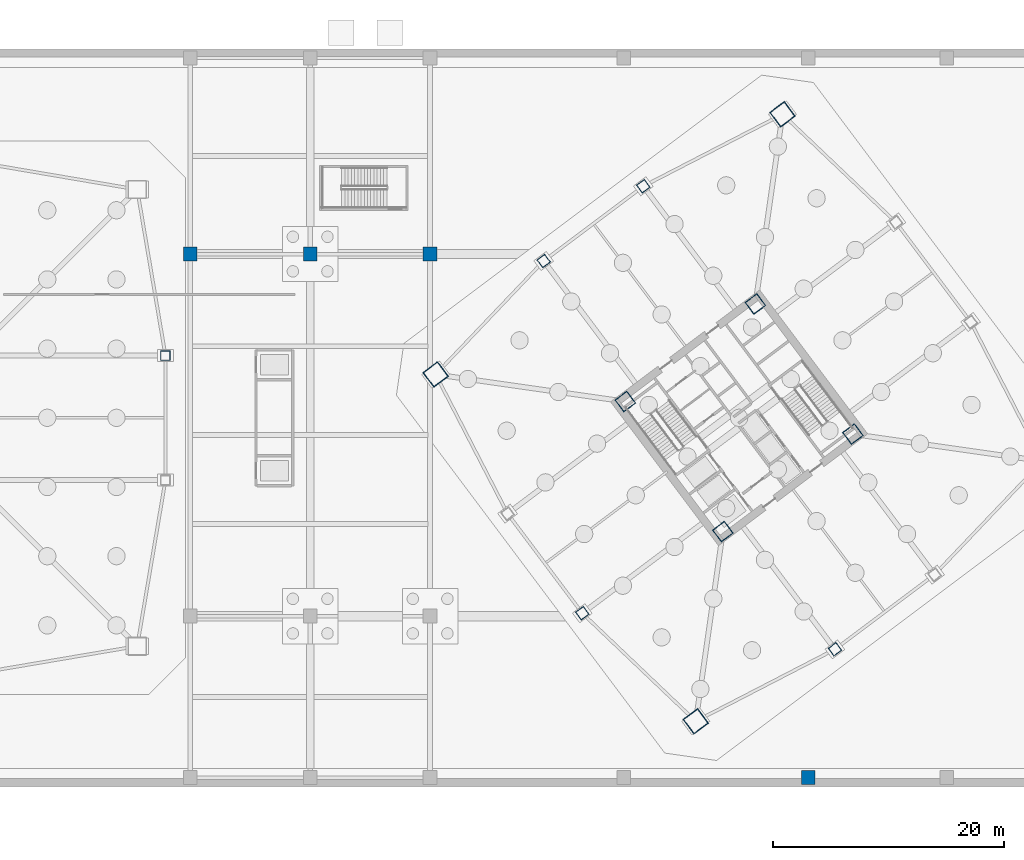
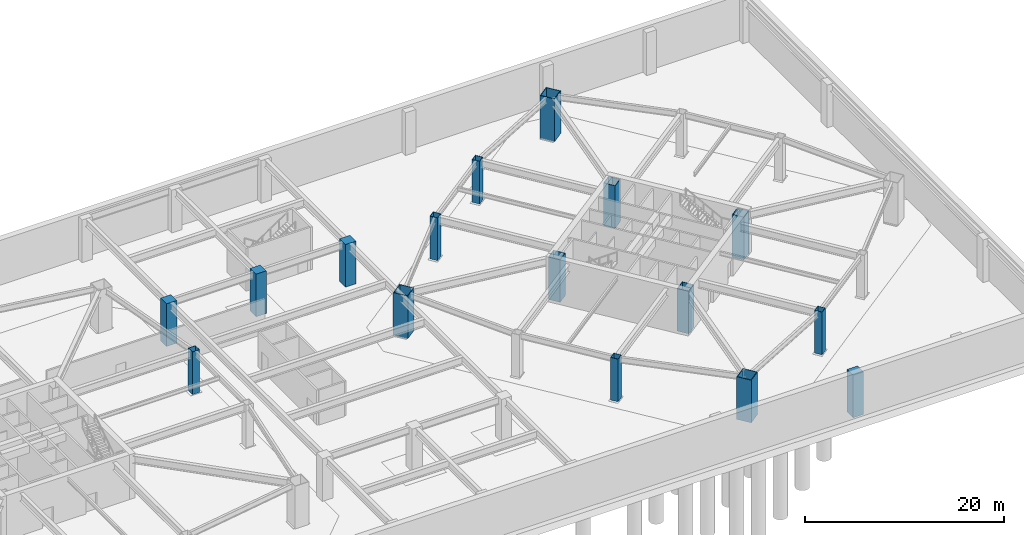
# One storey, part 3 of 19: 16 columns.
"""IFC4 building model written with IfcOpenShell, lengths in metres."""

from ifc_helpers import new_model, si_unit, direction, frame, origin, origin_2d, place, context, subcontext, project, spatial, rectangle, hollow_rectangle, extrude, material, material_profile, profile_set, type_object, element, save


model = new_model("IFC4")

# Units and contexts
model_context = context("Model", 3, precision=1e-05, world=origin(), true_north=direction((0.0, 1.0)))
body_context = subcontext(model_context, "Body", "Model", "MODEL_VIEW")
ifc_project = project(units=[si_unit("LENGTHUNIT", "METRE"), si_unit("AREAUNIT", "SQUARE_METRE"), si_unit("VOLUMEUNIT", "CUBIC_METRE"), si_unit("PLANEANGLEUNIT", "RADIAN"), si_unit("MASSUNIT", "GRAM", prefix="KILO")], contexts=[model_context])

# Site, building, storey
site_placement = place(None, origin())
site = spatial("IfcSite", under=ifc_project, at=site_placement, CompositionType="ELEMENT")
building_placement = place(site_placement, origin())
building = spatial("IfcBuilding", under=site, at=building_placement, Name="Tashvorn Skyway Center", CompositionType="ELEMENT")
storey_placement = place(building_placement, frame((0.0, 0.0, -11.0)))
storey = spatial("IfcBuildingStorey", under=building, at=storey_placement, Name="B2", CompositionType="ELEMENT", Elevation=-11.0)

# Columns
ifc_material_1 = material(Name="Steel ASTM A572 Grade 50", Category="steel")
ifc_material_profile_1 = material_profile(ifc_material_1, hollow_rectangle(XDim=1.300048828125, YDim=1.300048828125, WallThickness=0.050048828125, at=origin_2d()), Name="BOX1300x1300x50")
ifc_profile_set_1 = profile_set([ifc_material_profile_1], Name="Steel ASTM A572 Grade 50")
column_type_1 = type_object("IfcColumnType", Name="COL-BOX1300x1300x50", PredefinedType="COLUMN", material=ifc_profile_set_1)
for number, where, z_axis, x_axis, name in (
    (1, (112.590087890625, 22.1298828125, 0.0), (0.0, 0.0, 1.0), (0.799999996291, 0.600000004945, 0.0), "Tower 2 B2 Core Corner Column CC-SW"),
    (2, (123.8701171875, 30.590087890625, 0.0), (0.0, 0.0, 1.0), (0.799999996291, 0.600000004945, 0.0), "Tower 2 B2 Core Corner Column CC-SE"),
    (3, (115.409912109375, 41.8701171875, 0.0), (0.0, 0.0, 1.0), (0.799999996291, 0.600000004945, 0.0), "Tower 2 B2 Core Corner Column CC-NE"),
    (4, (104.1298828125, 33.409912109375, 0.0), (0.0, 0.0, 1.0), (0.799999996291, 0.600000004945, 0.0), "Tower 2 B2 Core Corner Column CC-NW"),
):
    element("IfcColumn", number, at=place(storey_placement, frame(where, z_axis=z_axis, x_axis=x_axis)), inside=storey, type_object=column_type_1, Name=name, PredefinedType="COLUMN", context=body_context, shape_type="SweptSolid", body=[
        extrude(hollow_rectangle(XDim=1.300048828125, YDim=1.300048828125, WallThickness=0.050048828125, at=origin_2d()), origin(), (0.0, 0.0, 1.0), 5.239990234375),
    ])
ifc_material_profile_2 = material_profile(ifc_material_1, hollow_rectangle(XDim=1.60009765625, YDim=1.60009765625, WallThickness=0.06005859375, at=origin_2d()), Name="BOX1600x1600x60")
ifc_profile_set_2 = profile_set([ifc_material_profile_2], Name="Steel ASTM A572 Grade 50")
column_type_2 = type_object("IfcColumnType", Name="COL-BOX1600x1600x60", PredefinedType="COLUMN", material=ifc_profile_set_2)
for number, where, z_axis, x_axis, name in (
    (5, (110.239990234375, 5.679931640625, 0.0), (0.0, 0.0, 1.0), (0.799999996291, 0.600000004945, 0.0), "Tower 2 B2 Mega-Column MC-SW"),
    (6, (117.760009765625, 58.320068359375, 0.0), (0.0, 0.0, 1.0), (0.799999996291, 0.600000004945, 0.0), "Tower 2 B2 Mega-Column MC-NE"),
    (7, (87.679931640625, 35.760009765625, 0.0), (0.0, 0.0, 1.0), (0.799999996291, 0.600000004945, 0.0), "Tower 2 B2 Mega-Column MC-NW"),
):
    element("IfcColumn", number, at=place(storey_placement, frame(where, z_axis=z_axis, x_axis=x_axis)), inside=storey, type_object=column_type_2, Name=name, PredefinedType="COLUMN", context=body_context, shape_type="SweptSolid", body=[
        extrude(hollow_rectangle(XDim=1.60009765625, YDim=1.60009765625, WallThickness=0.06005859375, at=origin_2d()), origin(), (0.0, 0.0, 1.0), 5.239990234375),
    ])
ifc_material_profile_3 = material_profile(ifc_material_1, hollow_rectangle(XDim=0.85009765625, YDim=0.85009765625, WallThickness=0.034912109375, at=origin_2d()), Name="BOX850x850x35")
ifc_profile_set_3 = profile_set([ifc_material_profile_3], Name="Steel ASTM A572 Grade 50")
column_type_3 = type_object("IfcColumnType", Name="COL-BOX850x850x35", PredefinedType="COLUMN", material=ifc_profile_set_3)
for number, where, z_axis, x_axis, name in (
    (8, (64.25, 37.39990234375, 0.0), (0.0, 0.0, 1.0), (1.0, 0.0, 0.0), "Tower 1 B2 Perimeter Column FC-E2"),
    (9, (122.31005859375, 11.919921875, 0.0), (0.0, 0.0, 1.0), (0.799999996291, 0.600000004945, 0.0), "Tower 2 B2 Perimeter Column FC-S1"),
    (10, (105.68994140625, 52.080078125, 0.0), (0.0, 0.0, 1.0), (0.799999996291, 0.600000004945, 0.0), "Tower 2 B2 Perimeter Column FC-N1"),
    (11, (97.050048828125, 45.60009765625, 0.0), (0.0, 0.0, 1.0), (0.799999996291, 0.600000004945, 0.0), "Tower 2 B2 Perimeter Column FC-N2"),
    (12, (100.39990234375, 15.050048828125, 0.0), (0.0, 0.0, 1.0), (0.799999996291, 0.600000004945, 0.0), "Tower 2 B2 Perimeter Column FC-W2"),
):
    element("IfcColumn", number, at=place(storey_placement, frame(where, z_axis=z_axis, x_axis=x_axis)), inside=storey, type_object=column_type_3, Name=name, PredefinedType="COLUMN", context=body_context, shape_type="SweptSolid", body=[
        extrude(hollow_rectangle(XDim=0.85009765625, YDim=0.85009765625, WallThickness=0.034912109375, at=origin_2d()), origin(), (0.0, 0.0, 1.0), 5.239990234375),
    ])
ifc_material_2 = material(Name="Concrete C50/60", Category="concrete")
ifc_material_profile_4 = material_profile(ifc_material_2, rectangle(XDim=1.199951171875, YDim=1.199951171875, at=origin_2d()), Name="RC1200x1200")
ifc_profile_set_4 = profile_set([ifc_material_profile_4], Name="Concrete C50/60")
column_type_4 = type_object("IfcColumnType", Name="COL-RC1200x1200", PredefinedType="COLUMN", material=ifc_profile_set_4)
for number, where, z_axis, x_axis, name in (
    (13, (120.0, 0.800048828125, 0.0), (0.0, 0.0, 1.0), (1.0, 0.0, 0.0), "B2 Podium Column PC-08-1"),
    (14, (66.39990234375, 46.199951171875, 0.0), (0.0, 0.0, 1.0), (1.0, 0.0, 0.0), "B2 Podium Column PIC-03-2"),
    (15, (76.800048828125, 46.199951171875, 0.0), (0.0, 0.0, 1.0), (1.0, 0.0, 0.0), "B2 Podium Column PIC-04-2"),
    (16, (87.199951171875, 46.199951171875, 0.0), (0.0, 0.0, 1.0), (1.0, 0.0, 0.0), "B2 Podium Column PIC-05-2"),
):
    element("IfcColumn", number, at=place(storey_placement, frame(where, z_axis=z_axis, x_axis=x_axis)), inside=storey, type_object=column_type_4, Name=name, PredefinedType="COLUMN", context=body_context, shape_type="SweptSolid", body=[
        extrude(rectangle(XDim=1.199951171875, YDim=1.199951171875, at=origin_2d()), origin(), (0.0, 0.0, 1.0), 5.239990234375),
    ])

save(model, "model.ifc")
